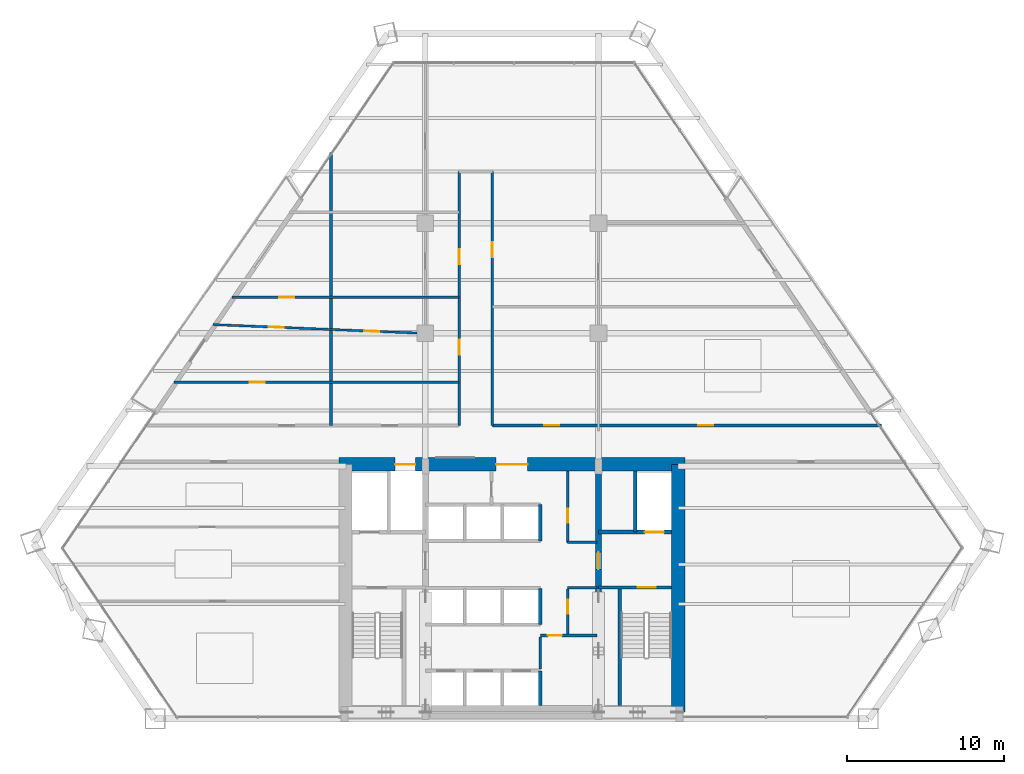
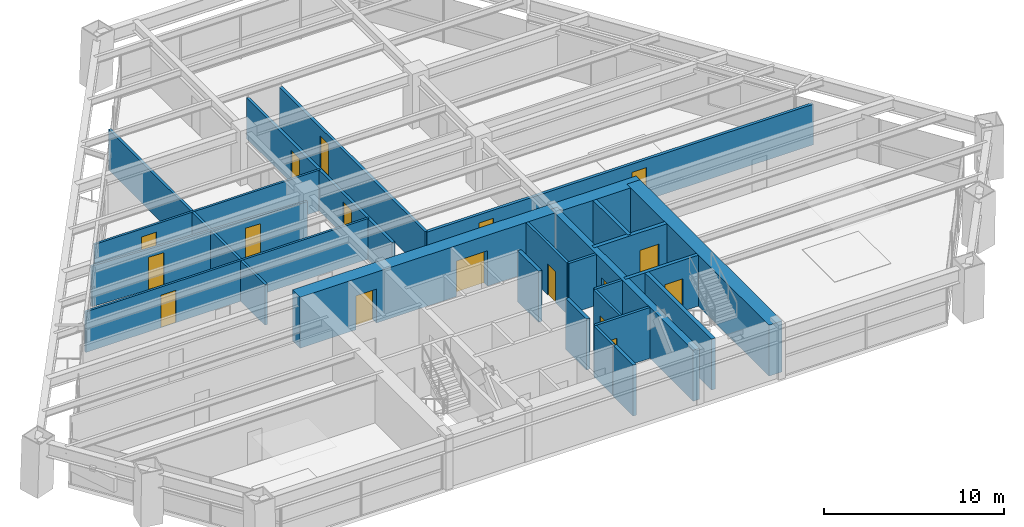
# One storey, part 11 of 14: 23 walls, 17 doors, 17 openings.
"""IFC4 building model written with IfcOpenShell, lengths in metres."""

from ifc_helpers import new_model, si_unit, direction, frame, frame_2d, origin, place, context, subcontext, project, spatial, rectangle, extrude, source, transform, mapped, material, layer, layer_set, type_object, type_shapes, element, fill, save


model = new_model("IFC4")

# Units and contexts
model_context = context("Model", 3, precision=1e-05, world=origin(), true_north=direction((0.0, 1.0)))
body_context = subcontext(model_context, "Body", "Model", "MODEL_VIEW")
ifc_project = project(units=[si_unit("LENGTHUNIT", "METRE"), si_unit("AREAUNIT", "SQUARE_METRE"), si_unit("VOLUMEUNIT", "CUBIC_METRE"), si_unit("PLANEANGLEUNIT", "RADIAN"), si_unit("MASSUNIT", "GRAM", prefix="KILO")], contexts=[model_context])

# Site, building, storey
site_placement = place(None, origin())
site = spatial("IfcSite", under=ifc_project, at=site_placement, CompositionType="ELEMENT")
building_placement = place(site_placement, origin())
building = spatial("IfcBuilding", under=site, at=building_placement, Name="Varnakhor Terracotta Tower", CompositionType="ELEMENT")
storey_placement = place(building_placement, frame((0.0, 0.0, 38.60009765625)))
storey = spatial("IfcBuildingStorey", under=building, at=storey_placement, Name="L08", CompositionType="ELEMENT", Elevation=38.60009765625)

# Wall, openings, doors
ifc_material_1 = material(Name="Concrete C60/75", Category="concrete")
ifc_layer_1 = layer(ifc_material_1, 0.85009765625, Name="Concrete C60/75")
ifc_layer_set_1 = layer_set([ifc_layer_1], Name="Concrete C60/75")
wall_type_1 = type_object("IfcWallType", Name="WAL-CORE-850", PredefinedType="SHEAR", material=ifc_layer_set_1)
wall_1_placement = place(storey_placement, frame((-11.0, 16.175048828125, 0.0), z_axis=(0.0, 0.0, 1.0), x_axis=(1.0, 0.0, 0.0)))
wall_1 = element("IfcWall", 1, at=wall_1_placement, inside=storey, type_object=wall_type_1, Name="L08 North Core Shear Wall", PredefinedType="SHEAR", context=body_context, shape_type="SweptSolid", body=[
    extrude(rectangle(XDim=22.0, YDim=0.85009765625, at=frame_2d((11.0, 0.0))), origin(), (0.0, 0.0, 1.0), 3.449951171875),
])
opening_1_placement = place(wall_1_placement, frame((3.570068359375, 0.0, 0.0)))
opening_1 = element("IfcOpeningElement", 2, at=opening_1_placement, cuts=wall_1, Name="Opening LD-03", PredefinedType="OPENING", context=body_context, shape_type="SweptSolid", body=[
    extrude(rectangle(XDim=1.300048828125, YDim=2.300048828125, at=frame_2d((0.64990234375, 1.14990234375))), frame((0.0, 0.43505859375, 0.0), z_axis=(0.0, -1.0, 0.0), x_axis=(1.0, 0.0, 0.0)), (0.0, 0.0, 1.0), 0.8701171875),
])
opening_2_placement = place(wall_1_placement, frame((10.0, 0.0, 0.0)))
opening_2 = element("IfcOpeningElement", 3, at=opening_2_placement, cuts=wall_1, Name="Opening DR-32", PredefinedType="OPENING", context=body_context, shape_type="SweptSolid", body=[
    extrude(rectangle(XDim=2.0, YDim=2.39990234375, at=frame_2d((1.0, 1.199951171875))), frame((0.0, 0.43505859375, 0.0), z_axis=(0.0, -1.0, 0.0), x_axis=(1.0, 0.0, 0.0)), (0.0, 0.0, 1.0), 0.8701171875),
])
ifc_material_2 = material(Name="Heavy-Duty Goods Sliding Lift Landing Door", Category="steel")
door_type_1 = type_object("IfcDoorType", Name="LD-SRV-1300X2300", OperationType="NOTDEFINED", PredefinedType="DOOR", material=ifc_material_2)
shared_shape_1 = source(origin(), body_context, "Body", "SweptSolid", [
    extrude(rectangle(XDim=1.300048828125, YDim=2.300048828125, at=frame_2d((0.64990234375, 1.14990234375))), frame((0.0, 0.02490234375, 0.0), z_axis=(0.0, -1.0, 0.0), x_axis=(1.0, 0.0, 0.0)), (0.0, 0.0, 1.0), 0.050048828125),
])
type_shapes(door_type_1, [shared_shape_1])
door_1_placement = place(opening_1_placement, origin())
door_1 = element("IfcDoor", 4, at=door_1_placement, inside=storey, type_object=door_type_1, Name="L08 Service Lift SVL-1 Landing Door", OperationType="SLIDING_TO_RIGHT", OverallHeight=2.300048828125, OverallWidth=1.300048828125, PredefinedType="DOOR", context=body_context, shape_type="MappedRepresentation", body=[
    mapped(shared_shape_1, transform((0.0, 0.0, 0.0), scale=1.0)),
])
fill(opening_1, door_1)
ifc_material_3 = material(Name="Acoustic Double Assembly Fire Door", Category="wood")
door_type_2 = type_object("IfcDoorType", Name="DR-HALL-2000X2400", OperationType="NOTDEFINED", PredefinedType="DOOR", material=ifc_material_3)
shared_shape_2 = source(origin(), body_context, "Body", "SweptSolid", [
    extrude(rectangle(XDim=2.0, YDim=2.39990234375, at=frame_2d((1.0, 1.199951171875))), frame((0.0, 0.02490234375, 0.0), z_axis=(0.0, -1.0, 0.0), x_axis=(1.0, 0.0, 0.0)), (0.0, 0.0, 1.0), 0.050048828125),
])
type_shapes(door_type_2, [shared_shape_2])
door_2_placement = place(opening_2_placement, origin())
door_2 = element("IfcDoor", 5, at=door_2_placement, inside=storey, type_object=door_type_2, Name="L08 Core Main Lobby Double Door", OperationType="DOUBLE_DOOR_SINGLE_SWING", OverallHeight=2.39990234375, OverallWidth=2.0, PredefinedType="DOOR", context=body_context, shape_type="MappedRepresentation", body=[
    mapped(shared_shape_2, transform((0.0, 0.0, 0.0), scale=1.0)),
])
fill(opening_2, door_2)

# Wall
wall_2_placement = place(storey_placement, frame((10.574951171875, 0.425048828125, 0.0), z_axis=(0.0, 0.0, 1.0), x_axis=(0.0, 1.0, 0.0)))
element("IfcWall", 6, at=wall_2_placement, inside=storey, type_object=wall_type_1, Name="L08 East Core Shear Wall", PredefinedType="SHEAR", context=body_context, shape_type="SweptSolid", body=[
    extrude(rectangle(XDim=15.75, YDim=0.85009765625, at=frame_2d((7.875, 0.0))), origin(), (0.0, 0.0, 1.0), 3.449951171875),
])

# Wall, opening, door
ifc_material_4 = material(Name="Concrete C50/60", Category="concrete")
ifc_layer_2 = layer(ifc_material_4, 0.39990234375, Name="Concrete C50/60")
ifc_layer_set_2 = layer_set([ifc_layer_2], Name="Concrete C50/60")
wall_type_2 = type_object("IfcWallType", Name="WAL-CORE-WEB-400", PredefinedType="SHEAR", material=ifc_layer_set_2)
wall_3_placement = place(storey_placement, frame((5.5, 0.425048828125, 0.0), z_axis=(0.0, 0.0, 1.0), x_axis=(0.0, 1.0, 0.0)))
wall_3 = element("IfcWall", 7, at=wall_3_placement, inside=storey, type_object=wall_type_2, Name="L08 East Core Web Shear Wall", PredefinedType="SHEAR", context=body_context, shape_type="SweptSolid", body=[
    extrude(rectangle(XDim=15.75, YDim=0.39990234375, at=frame_2d((7.875, 0.0))), origin(), (0.0, 0.0, 1.0), 3.449951171875),
])
opening_3_placement = place(wall_3_placement, frame((9.074951171875, 0.0, 0.0)))
opening_3 = element("IfcOpeningElement", 8, at=opening_3_placement, cuts=wall_3, Name="Opening DR-25", PredefinedType="OPENING", context=body_context, shape_type="SweptSolid", body=[
    extrude(rectangle(XDim=1.10009765625, YDim=2.199951171875, at=frame_2d((0.550048828125, 1.10009765625))), frame((0.0, 0.2099609375, 0.0), z_axis=(0.0, -1.0, 0.0), x_axis=(1.0, 0.0, 0.0)), (0.0, 0.0, 1.0), 0.419921875),
])
ifc_material_5 = material(Name="Firefighting Lobby Self-Closing Fire Door", Category="steel")
door_type_3 = type_object("IfcDoorType", Name="DR-FFL-1100X2200", OperationType="NOTDEFINED", PredefinedType="DOOR", material=ifc_material_5)
shared_shape_3 = source(origin(), body_context, "Body", "SweptSolid", [
    extrude(rectangle(XDim=1.10009765625, YDim=2.199951171875, at=frame_2d((0.550048828125, 1.10009765625))), frame((0.0, 0.02490234375, 0.0), z_axis=(0.0, -1.0, 0.0), x_axis=(1.0, 0.0, 0.0)), (0.0, 0.0, 1.0), 0.050048828125),
])
type_shapes(door_type_3, [shared_shape_3])
door_3_placement = place(opening_3_placement, origin())
door_3 = element("IfcDoor", 9, at=door_3_placement, inside=storey, type_object=door_type_3, Name="L08 East Firefighting Lobby Door", OperationType="SINGLE_SWING_RIGHT", OverallHeight=2.199951171875, OverallWidth=1.10009765625, PredefinedType="DOOR", context=body_context, shape_type="MappedRepresentation", body=[
    mapped(shared_shape_3, transform((0.0, 0.0, 0.0), scale=1.0)),
])
fill(opening_3, door_3)

# Wall, openings, doors
ifc_material_6 = material(Name="Fire-Rated Gypsum Stud Partition", Category="gypsum")
ifc_layer_3 = layer(ifc_material_6, 0.18505859375, Name="Fire-Rated Gypsum Stud Partition")
ifc_layer_set_3 = layer_set([ifc_layer_3], Name="Fire-Rated Gypsum Stud Partition")
wall_type_3 = type_object("IfcWallType", Name="WAL-CORR-185", PredefinedType="PARTITIONING", material=ifc_layer_set_3)
wall_4_placement = place(storey_placement, frame((-1.25, 18.64990234375, 0.0), z_axis=(0.0, 0.0, 1.0), x_axis=(1.0, 0.0, 0.0)))
wall_4 = element("IfcWall", 10, at=wall_4_placement, inside=storey, type_object=wall_type_3, Name="L08 Corridor North East Wall", PredefinedType="PARTITIONING", context=body_context, shape_type="SweptSolid", body=[
    extrude(rectangle(XDim=24.7275390625, YDim=0.18505859375, at=frame_2d((12.36376953125, 0.0))), origin(), (0.0, 0.0, 1.0), 2.746826171875),
])
opening_4_placement = place(wall_4_placement, frame((13.091064453125, 0.0, 0.0)))
opening_4 = element("IfcOpeningElement", 11, at=opening_4_placement, cuts=wall_4, Name="Opening DR-94", PredefinedType="OPENING", context=body_context, shape_type="SweptSolid", body=[
    extrude(rectangle(XDim=0.949951171875, YDim=2.199951171875, at=frame_2d((0.47509765625, 1.10009765625))), frame((0.0, 0.1025390625, 0.0), z_axis=(0.0, -1.0, 0.0), x_axis=(1.0, 0.0, 0.0)), (0.0, 0.0, 1.0), 0.205078125),
])
opening_5_placement = place(wall_4_placement, frame((3.301025390625, 0.0, 0.0)))
opening_5 = element("IfcOpeningElement", 12, at=opening_5_placement, cuts=wall_4, Name="Opening DR-94", PredefinedType="OPENING", context=body_context, shape_type="SweptSolid", body=[
    extrude(rectangle(XDim=0.949951171875, YDim=2.199951171875, at=frame_2d((0.47509765625, 1.10009765625))), frame((0.0, 0.1025390625, 0.0), z_axis=(0.0, -1.0, 0.0), x_axis=(1.0, 0.0, 0.0)), (0.0, 0.0, 1.0), 0.205078125),
])
ifc_material_7 = material(Name="Acoustic Glazed-Vision Timber Office Door", Category="wood")
door_type_4 = type_object("IfcDoorType", Name="DR-OFF-950X2200", OperationType="NOTDEFINED", PredefinedType="DOOR", material=ifc_material_7)
shared_shape_4 = source(origin(), body_context, "Body", "SweptSolid", [
    extrude(rectangle(XDim=0.949951171875, YDim=2.199951171875, at=frame_2d((0.47509765625, 1.10009765625))), frame((0.0, 0.02490234375, 0.0), z_axis=(0.0, -1.0, 0.0), x_axis=(1.0, 0.0, 0.0)), (0.0, 0.0, 1.0), 0.050048828125),
])
type_shapes(door_type_4, [shared_shape_4])
door_4_placement = place(opening_4_placement, origin())
door_4 = element("IfcDoor", 13, at=door_4_placement, inside=storey, type_object=door_type_4, Name="L08 East Workplace Door", OperationType="SINGLE_SWING_RIGHT", OverallHeight=2.199951171875, OverallWidth=0.949951171875, PredefinedType="DOOR", context=body_context, shape_type="MappedRepresentation", body=[
    mapped(shared_shape_4, transform((0.0, 0.0, 0.0), scale=1.0)),
])
fill(opening_4, door_4)
door_5_placement = place(opening_5_placement, origin())
door_5 = element("IfcDoor", 14, at=door_5_placement, inside=storey, type_object=door_type_4, Name="L08 Partner Office W2 B9 Door", OperationType="SINGLE_SWING_LEFT", OverallHeight=2.199951171875, OverallWidth=0.949951171875, PredefinedType="DOOR", context=body_context, shape_type="MappedRepresentation", body=[
    mapped(shared_shape_4, transform((0.0, 0.0, 0.0), scale=1.0)),
])
fill(opening_5, door_5)

wall_5_placement = place(storey_placement, frame((-3.35009765625, 18.64990234375, 0.0), z_axis=(0.0, 0.0, 1.0), x_axis=(0.0, 1.0, 0.0)))
wall_5 = element("IfcWall", 15, at=wall_5_placement, inside=storey, type_object=wall_type_3, Name="L08 Spine West Wall", PredefinedType="PARTITIONING", context=body_context, shape_type="SweptSolid", body=[
    extrude(rectangle(XDim=16.150146484375, YDim=0.18505859375, at=frame_2d((8.0751953125, 0.0))), origin(), (0.0, 0.0, 1.0), 2.746826171875),
])
opening_6_placement = place(wall_5_placement, frame((4.506103515625, 0.0, 0.0)))
opening_6 = element("IfcOpeningElement", 16, at=opening_6_placement, cuts=wall_5, Name="Opening DR-94", PredefinedType="OPENING", context=body_context, shape_type="SweptSolid", body=[
    extrude(rectangle(XDim=0.949951171875, YDim=2.199951171875, at=frame_2d((0.47509765625, 1.10009765625))), frame((0.0, 0.1025390625, 0.0), z_axis=(0.0, -1.0, 0.0), x_axis=(1.0, 0.0, 0.0)), (0.0, 0.0, 1.0), 0.205078125),
])
opening_7_placement = place(wall_5_placement, frame((10.25830078125, 0.0, 0.0)))
opening_7 = element("IfcOpeningElement", 17, at=opening_7_placement, cuts=wall_5, Name="Opening DR-94", PredefinedType="OPENING", context=body_context, shape_type="SweptSolid", body=[
    extrude(rectangle(XDim=0.949951171875, YDim=2.199951171875, at=frame_2d((0.47509765625, 1.10009765625))), frame((0.0, 0.1025390625, 0.0), z_axis=(0.0, -1.0, 0.0), x_axis=(1.0, 0.0, 0.0)), (0.0, 0.0, 1.0), 0.205078125),
])
door_6_placement = place(opening_6_placement, origin())
door_6 = element("IfcDoor", 18, at=door_6_placement, inside=storey, type_object=door_type_4, Name="L08 Spine West Door", OperationType="SINGLE_SWING_LEFT", OverallHeight=2.199951171875, OverallWidth=0.949951171875, PredefinedType="DOOR", context=body_context, shape_type="MappedRepresentation", body=[
    mapped(shared_shape_4, transform((0.0, 0.0, 0.0), scale=1.0)),
])
fill(opening_6, door_6)
door_7_placement = place(opening_7_placement, origin())
door_7 = element("IfcDoor", 19, at=door_7_placement, inside=storey, type_object=door_type_4, Name="L08 Partner Office W1 B16 Door", OperationType="SINGLE_SWING_LEFT", OverallHeight=2.199951171875, OverallWidth=0.949951171875, PredefinedType="DOOR", context=body_context, shape_type="MappedRepresentation", body=[
    mapped(shared_shape_4, transform((0.0, 0.0, 0.0), scale=1.0)),
])
fill(opening_7, door_7)

# Wall, opening, door
wall_6_placement = place(storey_placement, frame((-1.25, 18.64990234375, 0.0), z_axis=(0.0, 0.0, 1.0), x_axis=(0.0, 1.0, 0.0)))
wall_6 = element("IfcWall", 20, at=wall_6_placement, inside=storey, type_object=wall_type_3, Name="L08 Spine East Wall", PredefinedType="PARTITIONING", context=body_context, shape_type="SweptSolid", body=[
    extrude(rectangle(XDim=16.150146484375, YDim=0.18505859375, at=frame_2d((8.0751953125, 0.0))), origin(), (0.0, 0.0, 1.0), 2.746826171875),
])
opening_8_placement = place(wall_6_placement, frame((10.694091796875, 0.0, 0.0)))
opening_8 = element("IfcOpeningElement", 21, at=opening_8_placement, cuts=wall_6, Name="Opening DR-94", PredefinedType="OPENING", context=body_context, shape_type="SweptSolid", body=[
    extrude(rectangle(XDim=0.949951171875, YDim=2.199951171875, at=frame_2d((0.47509765625, 1.10009765625))), frame((0.0, 0.1025390625, 0.0), z_axis=(0.0, -1.0, 0.0), x_axis=(1.0, 0.0, 0.0)), (0.0, 0.0, 1.0), 0.205078125),
])
door_8_placement = place(opening_8_placement, origin())
door_8 = element("IfcDoor", 22, at=door_8_placement, inside=storey, type_object=door_type_4, Name="L08 Spine East Door", OperationType="SINGLE_SWING_RIGHT", OverallHeight=2.199951171875, OverallWidth=0.949951171875, PredefinedType="DOOR", context=body_context, shape_type="MappedRepresentation", body=[
    mapped(shared_shape_4, transform((0.0, 0.0, 0.0), scale=1.0)),
])
fill(opening_8, door_8)

ifc_material_8 = material(Name="Concrete C40/50", Category="concrete")
ifc_layer_4 = layer(ifc_material_8, 0.219970703125, Name="Concrete C40/50")
ifc_layer_set_4 = layer_set([ifc_layer_4], Name="Concrete C40/50")
wall_type_4 = type_object("IfcWallType", Name="WAL-FFLOBBY-220", PredefinedType="SOLIDWALL", material=ifc_layer_set_4)
wall_7_placement = place(storey_placement, frame((10.14990234375, 8.35009765625, 0.0), z_axis=(0.0, 0.0, 1.0), x_axis=(-1.0, 0.0, 0.0)))
wall_7 = element("IfcWall", 23, at=wall_7_placement, inside=storey, type_object=wall_type_4, Name="L08 East Firefighting Lobby Stair Wall", PredefinedType="SOLIDWALL", context=body_context, shape_type="SweptSolid", body=[
    extrude(rectangle(XDim=4.64990234375, YDim=0.219970703125, at=frame_2d((2.324951171875, 0.0))), origin(), (0.0, 0.0, 1.0), 3.449951171875),
])
opening_9_placement = place(wall_7_placement, frame((1.0, 0.0, 0.0)))
opening_9 = element("IfcOpeningElement", 24, at=opening_9_placement, cuts=wall_7, Name="Opening DR-34", PredefinedType="OPENING", context=body_context, shape_type="SweptSolid", body=[
    extrude(rectangle(XDim=1.14990234375, YDim=2.199951171875, at=frame_2d((0.574951171875, 1.10009765625))), frame((0.0, 0.1201171875, 0.0), z_axis=(0.0, -1.0, 0.0), x_axis=(1.0, 0.0, 0.0)), (0.0, 0.0, 1.0), 0.239990234375),
])
ifc_material_9 = material(Name="Self-Closing Smoke-Sealed Steel Fire Door", Category="steel")
door_type_5 = type_object("IfcDoorType", Name="DR-STAIR-1150X2200", OperationType="NOTDEFINED", PredefinedType="DOOR", material=ifc_material_9)
shared_shape_5 = source(origin(), body_context, "Body", "SweptSolid", [
    extrude(rectangle(XDim=1.14990234375, YDim=2.199951171875, at=frame_2d((0.574951171875, 1.10009765625))), frame((0.0, 0.02490234375, 0.0), z_axis=(0.0, -1.0, 0.0), x_axis=(1.0, 0.0, 0.0)), (0.0, 0.0, 1.0), 0.050048828125),
])
type_shapes(door_type_5, [shared_shape_5])
door_9_placement = place(opening_9_placement, origin())
door_9 = element("IfcDoor", 25, at=door_9_placement, inside=storey, type_object=door_type_5, Name="L08 Exit Stair ST-2 Fire Door", OperationType="SINGLE_SWING_LEFT", OverallHeight=2.199951171875, OverallWidth=1.14990234375, PredefinedType="DOOR", context=body_context, shape_type="MappedRepresentation", body=[
    mapped(shared_shape_5, transform((0.0, 0.0, 0.0), scale=1.0)),
])
fill(opening_9, door_9)

# Wall, openings, doors
ifc_material_10 = material(Name="Acoustic Metal-Stud Partition", Category="gypsum")
ifc_layer_5 = layer(ifc_material_10, 0.139892578125, Name="Acoustic Metal-Stud Partition")
ifc_layer_set_5 = layer_set([ifc_layer_5], Name="Acoustic Metal-Stud Partition")
wall_type_5 = type_object("IfcWallType", Name="WAL-PART-140", PredefinedType="PARTITIONING", material=ifc_layer_set_5)
wall_8_placement = place(storey_placement, frame((-18.99169921875, 25.060791015625, 0.0), z_axis=(0.0, 0.0, 1.0), x_axis=(0.999137266833, -0.041529772754, 0.0)))
wall_8 = element("IfcWall", 26, at=wall_8_placement, inside=storey, type_object=wall_type_5, Name="L08 Mid West Column Wall", PredefinedType="PARTITIONING", context=body_context, shape_type="SweptSolid", body=[
    extrude(rectangle(XDim=13.50341796875, YDim=0.139892578125, at=frame_2d((6.751708984375, 0.0))), origin(), (0.0, 0.0, 1.0), 2.746826171875),
])
opening_10_placement = place(wall_8_placement, frame((9.61279296875, 0.0, 0.0)))
opening_10 = element("IfcOpeningElement", 27, at=opening_10_placement, cuts=wall_8, Name="Opening DR-94", PredefinedType="OPENING", context=body_context, shape_type="SweptSolid", body=[
    extrude(rectangle(XDim=0.949951171875, YDim=2.199951171875, at=frame_2d((0.47509765625, 1.10009765625))), frame((0.0, 0.080078125, 0.0), z_axis=(0.0, -1.0, 0.0), x_axis=(1.0, 0.0, 0.0)), (0.0, 0.0, 1.0), 0.159912109375),
])
opening_11_placement = place(wall_8_placement, frame((3.554931640625, 0.0, 0.0)))
opening_11 = element("IfcOpeningElement", 28, at=opening_11_placement, cuts=wall_8, Name="Opening DR-94", PredefinedType="OPENING", context=body_context, shape_type="SweptSolid", body=[
    extrude(rectangle(XDim=0.949951171875, YDim=2.199951171875, at=frame_2d((0.47509765625, 1.10009765625))), frame((0.0, 0.080078125, 0.0), z_axis=(0.0, -1.0, 0.0), x_axis=(1.0, 0.0, 0.0)), (0.0, 0.0, 1.0), 0.159912109375),
])
door_10_placement = place(opening_10_placement, origin())
door_10 = element("IfcDoor", 29, at=door_10_placement, inside=storey, type_object=door_type_4, Name="L08 Seminar Training Room B12 Door", OperationType="SINGLE_SWING_LEFT", OverallHeight=2.199951171875, OverallWidth=0.949951171875, PredefinedType="DOOR", context=body_context, shape_type="MappedRepresentation", body=[
    mapped(shared_shape_4, transform((0.0, 0.0, 0.0), scale=1.0)),
])
fill(opening_10, door_10)
door_11_placement = place(opening_11_placement, origin())
door_11 = element("IfcDoor", 30, at=door_11_placement, inside=storey, type_object=door_type_4, Name="L08 Client Reception B13 Door", OperationType="SINGLE_SWING_RIGHT", OverallHeight=2.199951171875, OverallWidth=0.949951171875, PredefinedType="DOOR", context=body_context, shape_type="MappedRepresentation", body=[
    mapped(shared_shape_4, transform((0.0, 0.0, 0.0), scale=1.0)),
])
fill(opening_11, door_11)

# Wall, opening, door
wall_9_placement = place(storey_placement, frame((-21.4873046875, 21.39990234375, 0.0), z_axis=(0.0, 0.0, 1.0), x_axis=(1.0, 0.0, 0.0)))
wall_9 = element("IfcWall", 31, at=wall_9_placement, inside=storey, type_object=wall_type_5, Name="L08 West Wing Cut 1", PredefinedType="PARTITIONING", context=body_context, shape_type="SweptSolid", body=[
    extrude(rectangle(XDim=18.13720703125, YDim=0.139892578125, at=frame_2d((9.068603515625, 0.0))), origin(), (0.0, 0.0, 1.0), 2.746826171875),
])
opening_12_placement = place(wall_9_placement, frame((4.81103515625, 0.0, 0.0)))
opening_12 = element("IfcOpeningElement", 32, at=opening_12_placement, cuts=wall_9, Name="Opening DR-94", PredefinedType="OPENING", context=body_context, shape_type="SweptSolid", body=[
    extrude(rectangle(XDim=0.949951171875, YDim=2.199951171875, at=frame_2d((0.47509765625, 1.10009765625))), frame((0.0, 0.080078125, 0.0), z_axis=(0.0, -1.0, 0.0), x_axis=(1.0, 0.0, 0.0)), (0.0, 0.0, 1.0), 0.159912109375),
])
door_12_placement = place(opening_12_placement, origin())
door_12 = element("IfcDoor", 33, at=door_12_placement, inside=storey, type_object=door_type_4, Name="L08 Partner Office W3 B10 Door", OperationType="SINGLE_SWING_RIGHT", OverallHeight=2.199951171875, OverallWidth=0.949951171875, PredefinedType="DOOR", context=body_context, shape_type="MappedRepresentation", body=[
    mapped(shared_shape_4, transform((0.0, 0.0, 0.0), scale=1.0)),
])
fill(opening_12, door_12)

wall_10_placement = place(storey_placement, frame((-17.805908203125, 26.800048828125, 0.0), z_axis=(0.0, 0.0, 1.0), x_axis=(1.0, 0.0, 0.0)))
wall_10 = element("IfcWall", 34, at=wall_10_placement, inside=storey, type_object=wall_type_5, Name="L08 West Wing Cut 2", PredefinedType="PARTITIONING", context=body_context, shape_type="SweptSolid", body=[
    extrude(rectangle(XDim=14.455810546875, YDim=0.139892578125, at=frame_2d((7.22802734375, 0.0))), origin(), (0.0, 0.0, 1.0), 2.746826171875),
])
opening_13_placement = place(wall_10_placement, frame((3.0078125, 0.0, 0.0)))
opening_13 = element("IfcOpeningElement", 35, at=opening_13_placement, cuts=wall_10, Name="Opening DR-94", PredefinedType="OPENING", context=body_context, shape_type="SweptSolid", body=[
    extrude(rectangle(XDim=0.949951171875, YDim=2.199951171875, at=frame_2d((0.47509765625, 1.10009765625))), frame((0.0, 0.080078125, 0.0), z_axis=(0.0, -1.0, 0.0), x_axis=(1.0, 0.0, 0.0)), (0.0, 0.0, 1.0), 0.159912109375),
])
door_13_placement = place(opening_13_placement, origin())
door_13 = element("IfcDoor", 36, at=door_13_placement, inside=storey, type_object=door_type_4, Name="L08 Project Study Office B15 Door", OperationType="SINGLE_SWING_RIGHT", OverallHeight=2.199951171875, OverallWidth=0.949951171875, PredefinedType="DOOR", context=body_context, shape_type="MappedRepresentation", body=[
    mapped(shared_shape_4, transform((0.0, 0.0, 0.0), scale=1.0)),
])
fill(opening_13, door_13)

# Walls
ifc_layer_6 = layer(ifc_material_8, 0.219970703125, Name="Concrete C40/50")
ifc_layer_set_6 = layer_set([ifc_layer_6], Name="Concrete C40/50")
wall_type_6 = type_object("IfcWallType", Name="WAL-SHAFT-220", PredefinedType="SOLIDWALL", material=ifc_layer_set_6)
wall_11_placement = place(storey_placement, frame((7.840087890625, 11.8701171875, 0.0), z_axis=(0.0, 0.0, 1.0), x_axis=(0.0, 1.0, 0.0)))
element("IfcWall", 37, at=wall_11_placement, inside=storey, type_object=wall_type_6, Name="L08 Lift FFL-2 and Riser Divider Wall", PredefinedType="SOLIDWALL", context=body_context, shape_type="SweptSolid", body=[
    extrude(rectangle(XDim=3.8798828125, YDim=0.219970703125, at=frame_2d((1.93994140625, 0.0))), origin(), (0.0, 0.0, 1.0), 3.449951171875),
])
wall_12_placement = place(storey_placement, frame((1.800048828125, 0.85009765625, 0.0), z_axis=(0.0, 0.0, 1.0), x_axis=(0.0, 1.0, 0.0)))
element("IfcWall", 38, at=wall_12_placement, inside=storey, type_object=wall_type_6, Name="L08 Bank 1 East Shaft Wall", PredefinedType="SOLIDWALL", context=body_context, shape_type="SweptSolid", body=[
    extrude(rectangle(XDim=2.199951171875, YDim=0.219970703125, at=frame_2d((1.10009765625, 0.0))), origin(), (0.0, 0.0, 1.0), 3.449951171875),
])
for number, where, z_axis, x_axis, name in (
    (39, (1.800048828125, 6.0, 0.0), (0.0, 0.0, 1.0), (0.0, 1.0, 0.0), "L08 Bank 2 East Shaft Wall"),
    (40, (1.800048828125, 11.320068359375, 0.0), (0.0, 0.0, 1.0), (0.0, 1.0, 0.0), "L08 Bank 3 East Shaft Wall"),
):
    element("IfcWall", number, at=place(storey_placement, frame(where, z_axis=z_axis, x_axis=x_axis)), inside=storey, type_object=wall_type_6, Name=name, PredefinedType="SOLIDWALL", context=body_context, shape_type="SweptSolid", body=[
        extrude(rectangle(XDim=2.300048828125, YDim=0.219970703125, at=frame_2d((1.14990234375, 0.0))), origin(), (0.0, 0.0, 1.0), 3.449951171875),
    ])
ifc_layer_7 = layer(ifc_material_8, 0.25, Name="Concrete C40/50")
ifc_layer_set_7 = layer_set([ifc_layer_7], Name="Concrete C40/50")
wall_type_7 = type_object("IfcWallType", Name="WAL-SHAFT-250", PredefinedType="SOLIDWALL", material=ifc_layer_set_7)
wall_13_placement = place(storey_placement, frame((6.85009765625, 0.85009765625, 0.0), z_axis=(0.0, 0.0, 1.0), x_axis=(0.0, 1.0, 0.0)))
element("IfcWall", 41, at=wall_13_placement, inside=storey, type_object=wall_type_7, Name="L08 Stair ST-2 Bearing Shaft Wall", PredefinedType="SOLIDWALL", context=body_context, shape_type="SweptSolid", body=[
    extrude(rectangle(XDim=7.5, YDim=0.25, at=frame_2d((3.75, 0.0))), origin(), (0.0, 0.0, 1.0), 3.449951171875),
])

# Wall, opening, door
wall_14_placement = place(storey_placement, frame((10.14990234375, 11.8701171875, 0.0), z_axis=(0.0, 0.0, 1.0), x_axis=(-1.0, 0.0, 0.0)))
wall_14 = element("IfcWall", 42, at=wall_14_placement, inside=storey, type_object=wall_type_7, Name="L08 Lift FFL-2 Shaft Front Wall", PredefinedType="SOLIDWALL", context=body_context, shape_type="SweptSolid", body=[
    extrude(rectangle(XDim=4.64990234375, YDim=0.25, at=frame_2d((2.324951171875, 0.0))), origin(), (0.0, 0.0, 1.0), 3.449951171875),
])
opening_14_placement = place(wall_14_placement, frame((0.5, 0.0, 0.0)))
opening_14 = element("IfcOpeningElement", 43, at=opening_14_placement, cuts=wall_14, Name="Opening LD-02", PredefinedType="OPENING", context=body_context, shape_type="SweptSolid", body=[
    extrude(rectangle(XDim=1.199951171875, YDim=2.25, at=frame_2d((0.60009765625, 1.125))), frame((0.0, 0.135009765625, 0.0), z_axis=(0.0, -1.0, 0.0), x_axis=(1.0, 0.0, 0.0)), (0.0, 0.0, 1.0), 0.27001953125),
])
ifc_material_11 = material(Name="Firefighting Stretcher Sliding Lift Landing Door", Category="steel")
door_type_6 = type_object("IfcDoorType", Name="LD-FFL-1200X2250", OperationType="NOTDEFINED", PredefinedType="DOOR", material=ifc_material_11)
shared_shape_6 = source(origin(), body_context, "Body", "SweptSolid", [
    extrude(rectangle(XDim=1.199951171875, YDim=2.25, at=frame_2d((0.60009765625, 1.125))), frame((0.0, 0.02490234375, 0.0), z_axis=(0.0, -1.0, 0.0), x_axis=(1.0, 0.0, 0.0)), (0.0, 0.0, 1.0), 0.050048828125),
])
type_shapes(door_type_6, [shared_shape_6])
door_14_placement = place(opening_14_placement, origin())
door_14 = element("IfcDoor", 44, at=door_14_placement, inside=storey, type_object=door_type_6, Name="L08 Firefighting Lift FFL-2 Landing Door", OperationType="SLIDING_TO_RIGHT", OverallHeight=2.25, OverallWidth=1.199951171875, PredefinedType="DOOR", context=body_context, shape_type="MappedRepresentation", body=[
    mapped(shared_shape_6, transform((0.0, 0.0, 0.0), scale=1.0)),
])
fill(opening_14, door_14)

# Wall
ifc_material_12 = material(Name="Acoustic Fire-Rated Partition", Category="gypsum")
ifc_layer_8 = layer(ifc_material_12, 0.1650390625, Name="Acoustic Fire-Rated Partition")
ifc_layer_set_8 = layer_set([ifc_layer_8], Name="Acoustic Fire-Rated Partition")
wall_type_8 = type_object("IfcWallType", Name="WAL-TENANCY-165", PredefinedType="PARTITIONING", material=ifc_layer_set_8)
wall_15_placement = place(storey_placement, frame((1.800048828125, 3.159912109375, 0.0), z_axis=(0.0, 0.0, 1.0), x_axis=(0.0, 1.0, 0.0)))
element("IfcWall", 45, at=wall_15_placement, inside=storey, type_object=wall_type_8, Name="L08 Core South West Return Wall", PredefinedType="PARTITIONING", context=body_context, shape_type="SweptSolid", body=[
    extrude(rectangle(XDim=2.0576171875, YDim=0.1650390625, at=frame_2d((1.02880859375, 0.0))), origin(), (0.0, 0.0, 1.0), 3.44189453125),
])

# Wall, opening, door
wall_16_placement = place(storey_placement, frame((3.5400390625, 5.382568359375, 0.0), z_axis=(0.0, 0.0, 1.0), x_axis=(0.0, 1.0, 0.0)))
wall_16 = element("IfcWall", 46, at=wall_16_placement, inside=storey, type_object=wall_type_8, Name="L08 Core Service Rated Wall", PredefinedType="PARTITIONING", context=body_context, shape_type="SweptSolid", body=[
    extrude(rectangle(XDim=2.875, YDim=0.1650390625, at=frame_2d((1.4375, 0.0))), origin(), (0.0, 0.0, 1.0), 3.44189453125),
])
opening_15_placement = place(wall_16_placement, frame((1.293701171875, 0.0, 0.0)))
opening_15 = element("IfcOpeningElement", 47, at=opening_15_placement, cuts=wall_16, Name="Opening DR-67", PredefinedType="OPENING", context=body_context, shape_type="SweptSolid", body=[
    extrude(rectangle(XDim=0.89990234375, YDim=2.10009765625, at=frame_2d((0.449951171875, 1.050048828125))), frame((0.0, 0.092529296875, 0.0), z_axis=(0.0, -1.0, 0.0), x_axis=(1.0, 0.0, 0.0)), (0.0, 0.0, 1.0), 0.18505859375),
])
ifc_material_13 = material(Name="Steel Service Riser Fire Door", Category="steel")
door_type_7 = type_object("IfcDoorType", Name="DR-RISER-900X2100", OperationType="NOTDEFINED", PredefinedType="DOOR", material=ifc_material_13)
shared_shape_7 = source(origin(), body_context, "Body", "SweptSolid", [
    extrude(rectangle(XDim=0.89990234375, YDim=2.10009765625, at=frame_2d((0.449951171875, 1.050048828125))), frame((0.0, 0.02490234375, 0.0), z_axis=(0.0, -1.0, 0.0), x_axis=(1.0, 0.0, 0.0)), (0.0, 0.0, 1.0), 0.050048828125),
])
type_shapes(door_type_7, [shared_shape_7])
door_15_placement = place(opening_15_placement, origin())
door_15 = element("IfcDoor", 48, at=door_15_placement, inside=storey, type_object=door_type_7, Name="L08 Core Accessible WC Door", OperationType="SINGLE_SWING_RIGHT", OverallHeight=2.10009765625, OverallWidth=0.89990234375, PredefinedType="DOOR", context=body_context, shape_type="MappedRepresentation", body=[
    mapped(shared_shape_7, transform((0.0, 0.0, 0.0), scale=1.0)),
])
fill(opening_15, door_15)

# Wall
wall_17_placement = place(storey_placement, frame((3.5400390625, 8.340087890625, 0.0), z_axis=(0.0, 0.0, 1.0), x_axis=(1.0, 0.0, 0.0)))
element("IfcWall", 49, at=wall_17_placement, inside=storey, type_object=wall_type_8, Name="L08 Accessible WC North Wall", PredefinedType="PARTITIONING", context=body_context, shape_type="SweptSolid", body=[
    extrude(rectangle(XDim=1.8798828125, YDim=0.1650390625, at=frame_2d((0.93994140625, 0.0))), origin(), (0.0, 0.0, 1.0), 3.44189453125),
])

# Wall, opening, door
wall_18_placement = place(storey_placement, frame((1.800048828125, 5.300048828125, 0.0), z_axis=(0.0, 0.0, 1.0), x_axis=(1.0, 0.0, 0.0)))
wall_18 = element("IfcWall", 50, at=wall_18_placement, inside=storey, type_object=wall_type_8, Name="L08 Core South Service Rated Wall", PredefinedType="PARTITIONING", context=body_context, shape_type="SweptSolid", body=[
    extrude(rectangle(XDim=3.619873046875, YDim=0.1650390625, at=frame_2d((1.81005859375, 0.0))), origin(), (0.0, 0.0, 1.0), 3.44189453125),
])
opening_16_placement = place(wall_18_placement, frame((0.47998046875, 0.0, 0.0)))
opening_16 = element("IfcOpeningElement", 51, at=opening_16_placement, cuts=wall_18, Name="Opening DR-67", PredefinedType="OPENING", context=body_context, shape_type="SweptSolid", body=[
    extrude(rectangle(XDim=0.89990234375, YDim=2.10009765625, at=frame_2d((0.449951171875, 1.050048828125))), frame((0.0, 0.092529296875, 0.0), z_axis=(0.0, -1.0, 0.0), x_axis=(1.0, 0.0, 0.0)), (0.0, 0.0, 1.0), 0.18505859375),
])
door_16_placement = place(opening_16_placement, origin())
door_16 = element("IfcDoor", 52, at=door_16_placement, inside=storey, type_object=door_type_7, Name="L08 Core IT Room Door", OperationType="SINGLE_SWING_LEFT", OverallHeight=2.10009765625, OverallWidth=0.89990234375, PredefinedType="DOOR", context=body_context, shape_type="MappedRepresentation", body=[
    mapped(shared_shape_7, transform((0.0, 0.0, 0.0), scale=1.0)),
])
fill(opening_16, door_16)

wall_19_placement = place(storey_placement, frame((3.5400390625, 11.219970703125, 0.0), z_axis=(0.0, 0.0, 1.0), x_axis=(0.0, 1.0, 0.0)))
wall_19 = element("IfcWall", 53, at=wall_19_placement, inside=storey, type_object=wall_type_8, Name="L08 Restroom Corridor Wall", PredefinedType="PARTITIONING", context=body_context, shape_type="SweptSolid", body=[
    extrude(rectangle(XDim=4.530029296875, YDim=0.1650390625, at=frame_2d((2.26513671875, 0.0))), origin(), (0.0, 0.0, 1.0), 3.44189453125),
])
opening_17_placement = place(wall_19_placement, frame((1.25, 0.0, 0.0)))
opening_17 = element("IfcOpeningElement", 54, at=opening_17_placement, cuts=wall_19, Name="Opening DR-67", PredefinedType="OPENING", context=body_context, shape_type="SweptSolid", body=[
    extrude(rectangle(XDim=0.89990234375, YDim=2.10009765625, at=frame_2d((0.449951171875, 1.050048828125))), frame((0.0, 0.092529296875, 0.0), z_axis=(0.0, -1.0, 0.0), x_axis=(1.0, 0.0, 0.0)), (0.0, 0.0, 1.0), 0.18505859375),
])
door_17_placement = place(opening_17_placement, origin())
door_17 = element("IfcDoor", 55, at=door_17_placement, inside=storey, type_object=door_type_7, Name="L08 Female WC Door", OperationType="SINGLE_SWING_RIGHT", OverallHeight=2.10009765625, OverallWidth=0.89990234375, PredefinedType="DOOR", context=body_context, shape_type="MappedRepresentation", body=[
    mapped(shared_shape_7, transform((0.0, 0.0, 0.0), scale=1.0)),
])
fill(opening_17, door_17)

# Walls
wall_20_placement = place(storey_placement, frame((3.5400390625, 11.219970703125, 0.0), z_axis=(0.0, 0.0, 1.0), x_axis=(1.0, 0.0, 0.0)))
element("IfcWall", 56, at=wall_20_placement, inside=storey, type_object=wall_type_8, Name="L08 Restroom South Wall", PredefinedType="PARTITIONING", context=body_context, shape_type="SweptSolid", body=[
    extrude(rectangle(XDim=1.8798828125, YDim=0.1650390625, at=frame_2d((0.93994140625, 0.0))), origin(), (0.0, 0.0, 1.0), 3.44189453125),
])
wall_21_placement = place(storey_placement, frame((-11.5, 18.64990234375, 0.0), z_axis=(0.0, 0.0, 1.0), x_axis=(0.0, 1.0, 0.0)))
element("IfcWall", 57, at=wall_21_placement, inside=storey, type_object=wall_type_8, Name="L08 West Cellular Line", PredefinedType="PARTITIONING", context=body_context, shape_type="SweptSolid", body=[
    extrude(rectangle(XDim=17.35009765625, YDim=0.1650390625, at=frame_2d((8.675048828125, 0.0))), origin(), (0.0, 0.0, 1.0), 2.746826171875),
])

save(model, "model.ifc")
